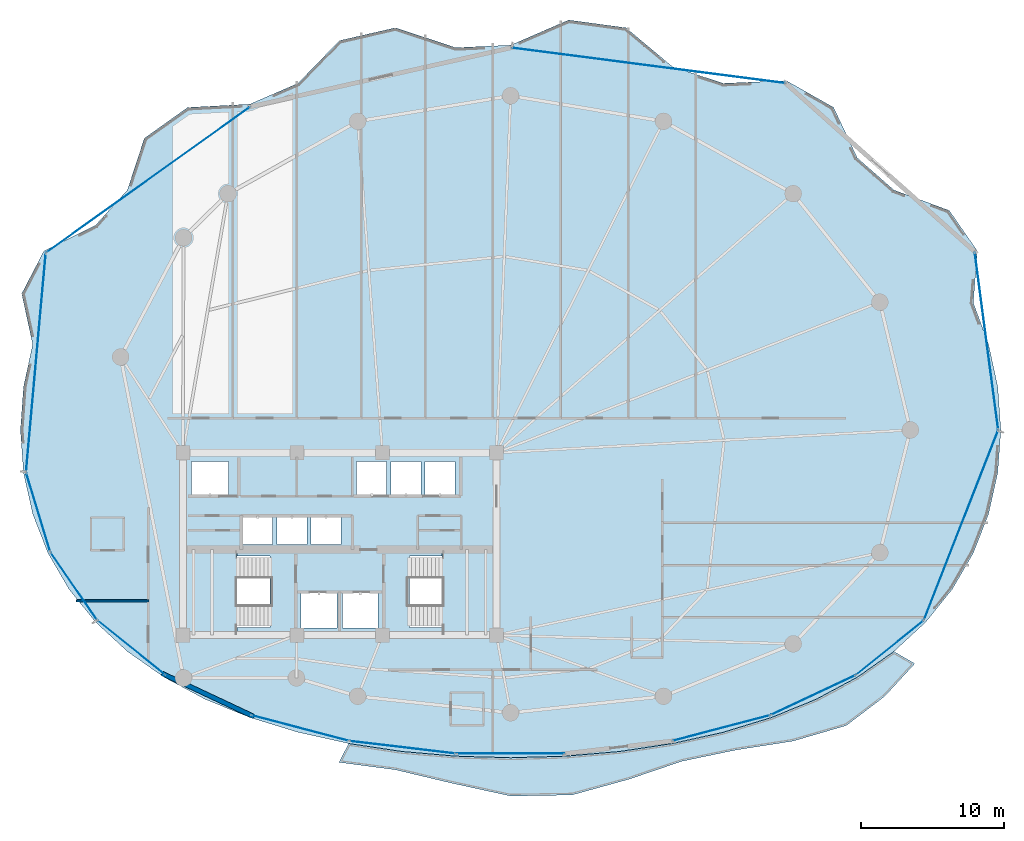
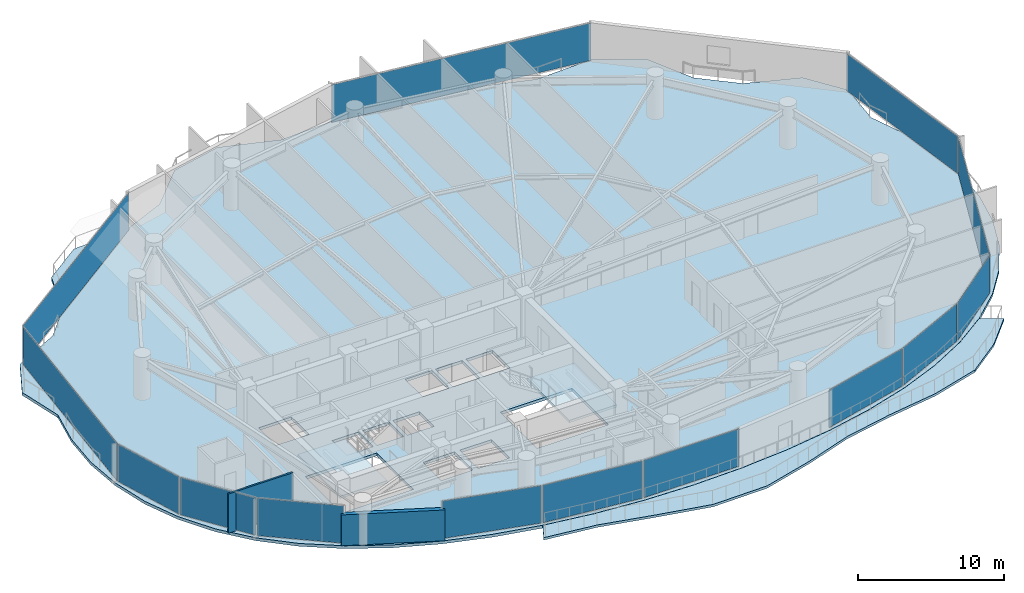
# One storey, part 25 of 33: 14 plates, 4 slabs, 2 walls, 16 elements without a shape of their own.
"""IFC4 building model written with IfcOpenShell, lengths in metres."""

from ifc_helpers import new_model, si_unit, direction, frame, frame_2d, origin, origin_2d, place, context, subcontext, project, spatial, polyline, rectangle, outline, extrude, material, layer, layer_set, type_object, element, aggregate, save


model = new_model("IFC4")

# Units and contexts
model_context = context("Model", 3, precision=1e-05, world=origin(), true_north=direction((0.0, 1.0)))
body_context = subcontext(model_context, "Body", "Model", "MODEL_VIEW")
ifc_project = project(units=[si_unit("LENGTHUNIT", "METRE"), si_unit("AREAUNIT", "SQUARE_METRE"), si_unit("VOLUMEUNIT", "CUBIC_METRE"), si_unit("PLANEANGLEUNIT", "RADIAN"), si_unit("MASSUNIT", "GRAM", prefix="KILO")], contexts=[model_context])

# Site, building, storey
site_placement = place(None, origin())
site = spatial("IfcSite", under=ifc_project, at=site_placement, CompositionType="ELEMENT")
building_placement = place(site_placement, origin())
building = spatial("IfcBuilding", under=site, at=building_placement, Name="Kazevale Care Tower and Concert Hall", CompositionType="ELEMENT")
storey_placement = place(building_placement, frame((0.0, 0.0, 178.199951171875)))
storey = spatial("IfcBuildingStorey", under=building, at=storey_placement, Name="L47", CompositionType="ELEMENT", Elevation=178.199951171875)

# Curtain wall, plate
ifc_material_1 = material(Name="Aluminium 6063-T6 and Low-E Glass", Category="aluminium")
ifc_layer_1 = layer(ifc_material_1, 0.179931640625)
ifc_layer_set_1 = layer_set([ifc_layer_1], Name="Aluminium 6063-T6 and Low-E Glass")
curtain_wall_type_1 = type_object("IfcCurtainWallType", Name="Convex Recessed Sunroom Curtain Wall CW-3", PredefinedType="NOTDEFINED", material=ifc_layer_set_1)
curtain_wall_1_placement = place(storey_placement, origin())
curtain_wall_1 = element("IfcCurtainWall", 1, at=curtain_wall_1_placement, inside=storey, type_object=curtain_wall_type_1, Name="cw:L47:f14", PredefinedType="NOTDEFINED")
ifc_material_2 = material(Name="Low-E Laminated Glass", Category="glass")
ifc_layer_2 = layer(ifc_material_2, 0.028076171875)
ifc_layer_set_2 = layer_set([ifc_layer_2], Name="Low-E Laminated Glass")
plate_type_1 = type_object("IfcPlateType", Name="CW-3 Low-E Glazing Panel 28mm", PredefinedType="CURTAIN_PANEL", material=ifc_layer_set_2)
plate_1_placement = place(storey_placement, frame((19.56103515625, 55.554931640625, 0.0751953125), z_axis=(0.0, 0.0, 1.0), x_axis=(0.813672201494, 0.58132396176, 0.0)))
plate_1 = element("IfcPlate", 2, at=plate_1_placement, type_object=plate_type_1, Name="CW-3 panel 1.1", PredefinedType="CURTAIN_PANEL", context=body_context, shape_type="SweptSolid", body=[
    extrude(rectangle(XDim=17.495849609375, YDim=0.028076171875, at=origin_2d()), origin(), (0.0, 0.0, 1.0), 3.1298828125),
])
aggregate(curtain_wall_1, [plate_1])

curtain_wall_2_placement = place(storey_placement, origin())
curtain_wall_2 = element("IfcCurtainWall", 3, at=curtain_wall_2_placement, inside=storey, type_object=curtain_wall_type_1, Name="cw:L47:f16", PredefinedType="NOTDEFINED")
plate_2_placement = place(storey_placement, frame((54.66845703125, 63.576416015625, 0.0751953125), z_axis=(0.0, 0.0, 1.0), x_axis=(0.99173542708, -0.128299815569, 0.0)))
plate_2 = element("IfcPlate", 4, at=plate_2_placement, type_object=plate_type_1, Name="CW-3 panel 1.1", PredefinedType="CURTAIN_PANEL", context=body_context, shape_type="SweptSolid", body=[
    extrude(rectangle(XDim=19.265380859375, YDim=0.028076171875, at=origin_2d()), origin(), (0.0, 0.0, 1.0), 3.1298828125),
])
aggregate(curtain_wall_2, [plate_2])

ifc_layer_3 = layer(ifc_material_1, 0.179931640625)
ifc_layer_set_3 = layer_set([ifc_layer_3], Name="Aluminium 6063-T6 and Low-E Glass")
curtain_wall_type_2 = type_object("IfcCurtainWallType", Name="Waist & Upper Residential Curtain Wall CW-4", PredefinedType="NOTDEFINED", material=ifc_layer_set_3)
curtain_wall_3_placement = place(storey_placement, origin())
curtain_wall_3 = element("IfcCurtainWall", 5, at=curtain_wall_3_placement, inside=storey, type_object=curtain_wall_type_2, Name="cw:L47:f01", PredefinedType="NOTDEFINED")
ifc_layer_4 = layer(ifc_material_2, 0.030029296875)
ifc_layer_set_4 = layer_set([ifc_layer_4], Name="Low-E Laminated Glass")
plate_type_2 = type_object("IfcPlateType", Name="CW-4 Low-E Glazing Panel 30mm", PredefinedType="CURTAIN_PANEL", material=ifc_layer_set_4)
plate_3_placement = place(storey_placement, frame((76.60791015625, 31.319091796875, 0.080078125), z_axis=(0.0, 0.0, 1.0), x_axis=(-0.36412075471, -0.931351746651, 0.0)))
plate_3 = element("IfcPlate", 6, at=plate_3_placement, type_object=plate_type_2, Name="CW-4 panel 1.1", PredefinedType="CURTAIN_PANEL", context=body_context, shape_type="SweptSolid", body=[
    extrude(rectangle(XDim=14.186767578125, YDim=0.030029296875, at=origin_2d()), origin(), (0.0, 0.0, 1.0), 3.1201171875),
])
aggregate(curtain_wall_3, [plate_3])

curtain_wall_4_placement = place(storey_placement, origin())
curtain_wall_4 = element("IfcCurtainWall", 7, at=curtain_wall_4_placement, inside=storey, type_object=curtain_wall_type_2, Name="cw:L47:f11", PredefinedType="NOTDEFINED")
plate_4_placement = place(storey_placement, frame((14.348388671875, 27.03955078125, 0.080078125), z_axis=(0.0, 0.0, 1.0), x_axis=(-0.567568708131, 0.823326035997, 0.0)))
plate_4 = element("IfcPlate", 8, at=plate_4_placement, type_object=plate_type_2, Name="CW-4 panel 1.1", PredefinedType="CURTAIN_PANEL", context=body_context, shape_type="SweptSolid", body=[
    extrude(rectangle(XDim=5.673583984375, YDim=0.030029296875, at=origin_2d()), origin(), (0.0, 0.0, 1.0), 3.1201171875),
])
aggregate(curtain_wall_4, [plate_4])

curtain_wall_5_placement = place(storey_placement, origin())
curtain_wall_5 = element("IfcCurtainWall", 9, at=curtain_wall_5_placement, inside=storey, type_object=curtain_wall_type_2, Name="cw:L47:f12", PredefinedType="NOTDEFINED")
plate_5_placement = place(storey_placement, frame((11.843994140625, 32.232421875, 0.080078125), z_axis=(0.0, 0.0, 1.0), x_axis=(-0.290977496961, 0.956729897234, 0.0)))
plate_5 = element("IfcPlate", 10, at=plate_5_placement, type_object=plate_type_2, Name="CW-4 panel 1.1", PredefinedType="CURTAIN_PANEL", context=body_context, shape_type="SweptSolid", body=[
    extrude(rectangle(XDim=5.675537109375, YDim=0.030029296875, at=origin_2d()), origin(), (0.0, 0.0, 1.0), 3.1201171875),
])
aggregate(curtain_wall_5, [plate_5])

curtain_wall_6_placement = place(storey_placement, origin())
curtain_wall_6 = element("IfcCurtainWall", 11, at=curtain_wall_6_placement, inside=storey, type_object=curtain_wall_type_2, Name="cw:L47:f13", PredefinedType="NOTDEFINED")
plate_6_placement = place(storey_placement, frame((11.6884765625, 42.72509765625, 0.080078125), z_axis=(0.0, 0.0, 1.0), x_axis=(0.089690298589, 0.995969703525, 0.0)))
plate_6 = element("IfcPlate", 12, at=plate_6_placement, type_object=plate_type_2, Name="CW-4 panel 1.1", PredefinedType="CURTAIN_PANEL", context=body_context, shape_type="SweptSolid", body=[
    extrude(rectangle(XDim=15.304443359375, YDim=0.030029296875, at=origin_2d()), origin(), (0.0, 0.0, 1.0), 3.1201171875),
])
aggregate(curtain_wall_6, [plate_6])

curtain_wall_7_placement = place(storey_placement, origin())
curtain_wall_7 = element("IfcCurtainWall", 13, at=curtain_wall_7_placement, inside=storey, type_object=curtain_wall_type_2, Name="cw:L47:f18", PredefinedType="NOTDEFINED")
plate_7_placement = place(storey_placement, frame((78.39306640625, 44.255615234375, 0.080078125), z_axis=(0.0, 0.0, 1.0), x_axis=(0.131063272711, -0.991374005382, 0.0)))
plate_7 = element("IfcPlate", 14, at=plate_7_placement, type_object=plate_type_2, Name="CW-4 panel 1.1", PredefinedType="CURTAIN_PANEL", context=body_context, shape_type="SweptSolid", body=[
    extrude(rectangle(XDim=12.4599609375, YDim=0.030029296875, at=origin_2d()), origin(), (0.0, 0.0, 1.0), 3.1201171875),
])
aggregate(curtain_wall_7, [plate_7])

ifc_layer_5 = layer(ifc_material_1, 0.179931640625)
ifc_layer_set_5 = layer_set([ifc_layer_5], Name="Aluminium 6063-T6 and Low-E Glass")
curtain_wall_type_3 = type_object("IfcCurtainWallType", Name="Sheltered Concave Balcony Curtain Wall CW-5", PredefinedType="NOTDEFINED", material=ifc_layer_set_5)
curtain_wall_8_placement = place(storey_placement, origin())
curtain_wall_8 = element("IfcCurtainWall", 15, at=curtain_wall_8_placement, inside=storey, type_object=curtain_wall_type_3, Name="cw:L47:f02", PredefinedType="NOTDEFINED")
ifc_layer_6 = layer(ifc_material_2, 0.02587890625)
ifc_layer_set_6 = layer_set([ifc_layer_6], Name="Low-E Laminated Glass")
plate_type_3 = type_object("IfcPlateType", Name="CW-5 Low-E Glazing Panel 26mm", PredefinedType="CURTAIN_PANEL", material=ifc_layer_set_6)
plate_8_placement = place(storey_placement, frame((71.613037109375, 22.720458984375, 0.0751953125), z_axis=(0.0, 0.0, 1.0), x_axis=(-0.779095419531, -0.626905357502, 0.0)))
plate_8 = element("IfcPlate", 16, at=plate_8_placement, type_object=plate_type_3, Name="CW-5 panel 1.1", PredefinedType="CURTAIN_PANEL", context=body_context, shape_type="SweptSolid", body=[
    extrude(rectangle(XDim=5.96728515625, YDim=0.02587890625, at=origin_2d()), origin(), (0.0, 0.0, 1.0), 3.1298828125),
])
aggregate(curtain_wall_8, [plate_8])

curtain_wall_9_placement = place(storey_placement, origin())
curtain_wall_9 = element("IfcCurtainWall", 17, at=curtain_wall_9_placement, inside=storey, type_object=curtain_wall_type_3, Name="cw:L47:f03", PredefinedType="NOTDEFINED")
plate_9_placement = place(storey_placement, frame((66.235595703125, 19.39697265625, 0.0751953125), z_axis=(0.0, 0.0, 1.0), x_axis=(-0.905188294205, -0.425010766963, 0.0)))
plate_9 = element("IfcPlate", 18, at=plate_9_placement, type_object=plate_type_3, Name="CW-5 panel 1.1", PredefinedType="CURTAIN_PANEL", context=body_context, shape_type="SweptSolid", body=[
    extrude(rectangle(XDim=6.46630859375, YDim=0.02587890625, at=origin_2d()), origin(), (0.0, 0.0, 1.0), 3.1298828125),
])
aggregate(curtain_wall_9, [plate_9])

curtain_wall_10_placement = place(storey_placement, origin())
curtain_wall_10 = element("IfcCurtainWall", 19, at=curtain_wall_10_placement, inside=storey, type_object=curtain_wall_type_3, Name="cw:L47:f04", PredefinedType="NOTDEFINED")
plate_10_placement = place(storey_placement, frame((59.784912109375, 17.08251953125, 0.0751953125), z_axis=(0.0, 0.0, 1.0), x_axis=(-0.967141564797, -0.254238458229, 0.0)))
plate_10 = element("IfcPlate", 20, at=plate_10_placement, type_object=plate_type_3, Name="CW-5 panel 1.1", PredefinedType="CURTAIN_PANEL", context=body_context, shape_type="SweptSolid", body=[
    extrude(rectangle(XDim=6.996826171875, YDim=0.02587890625, at=origin_2d()), origin(), (0.0, 0.0, 1.0), 3.1298828125),
])
aggregate(curtain_wall_10, [plate_10])

curtain_wall_11_placement = place(storey_placement, origin())
curtain_wall_11 = element("IfcCurtainWall", 21, at=curtain_wall_11_placement, inside=storey, type_object=curtain_wall_type_3, Name="cw:L47:f06", PredefinedType="NOTDEFINED")
plate_11_placement = place(storey_placement, frame((45.0, 15.2890625, 0.0751953125), z_axis=(0.0, 0.0, 1.0), x_axis=(-1.0, 0.0, 0.0)))
plate_11 = element("IfcPlate", 22, at=plate_11_placement, type_object=plate_type_3, Name="CW-5 panel 1.1", PredefinedType="CURTAIN_PANEL", context=body_context, shape_type="SweptSolid", body=[
    extrude(rectangle(XDim=7.531982421875, YDim=0.02587890625, at=origin_2d()), origin(), (0.0, 0.0, 1.0), 3.1298828125),
])
aggregate(curtain_wall_11, [plate_11])

curtain_wall_12_placement = place(storey_placement, origin())
curtain_wall_12 = element("IfcCurtainWall", 23, at=curtain_wall_12_placement, inside=storey, type_object=curtain_wall_type_3, Name="cw:L47:f07", PredefinedType="NOTDEFINED")
plate_12_placement = place(storey_placement, frame((37.4150390625, 15.7314453125, 0.0751953125), z_axis=(0.0, 0.0, 1.0), x_axis=(-0.993087997884, 0.117372179238, 0.0)))
plate_12 = element("IfcPlate", 24, at=plate_12_placement, type_object=plate_type_3, Name="CW-5 panel 1.1", PredefinedType="CURTAIN_PANEL", context=body_context, shape_type="SweptSolid", body=[
    extrude(rectangle(XDim=7.39013671875, YDim=0.02587890625, at=origin_2d()), origin(), (0.0, 0.0, 1.0), 3.1298828125),
])
aggregate(curtain_wall_12, [plate_12])

curtain_wall_13_placement = place(storey_placement, origin())
curtain_wall_13 = element("IfcCurtainWall", 25, at=curtain_wall_13_placement, inside=storey, type_object=curtain_wall_type_3, Name="cw:L47:f08", PredefinedType="NOTDEFINED")
plate_13_placement = place(storey_placement, frame((30.215087890625, 17.08251953125, 0.0751953125), z_axis=(0.0, 0.0, 1.0), x_axis=(-0.967141564797, 0.254238458229, 0.0)))
plate_13 = element("IfcPlate", 26, at=plate_13_placement, type_object=plate_type_3, Name="CW-5 panel 1.1", PredefinedType="CURTAIN_PANEL", context=body_context, shape_type="SweptSolid", body=[
    extrude(rectangle(XDim=6.996826171875, YDim=0.02587890625, at=origin_2d()), origin(), (0.0, 0.0, 1.0), 3.1298828125),
])
aggregate(curtain_wall_13, [plate_13])

curtain_wall_14_placement = place(storey_placement, origin())
curtain_wall_14 = element("IfcCurtainWall", 27, at=curtain_wall_14_placement, inside=storey, type_object=curtain_wall_type_3, Name="cw:L47:f10", PredefinedType="NOTDEFINED")
plate_14_placement = place(storey_placement, frame((18.386962890625, 22.720458984375, 0.0751953125), z_axis=(0.0, 0.0, 1.0), x_axis=(-0.779095419531, 0.626905357502, 0.0)))
plate_14 = element("IfcPlate", 28, at=plate_14_placement, type_object=plate_type_3, Name="CW-5 panel 1.1", PredefinedType="CURTAIN_PANEL", context=body_context, shape_type="SweptSolid", body=[
    extrude(rectangle(XDim=5.96728515625, YDim=0.02587890625, at=origin_2d()), origin(), (0.0, 0.0, 1.0), 3.1298828125),
])
aggregate(curtain_wall_14, [plate_14])

# Slab
ifc_material_3 = material(Name="Concrete C40", Category="concrete")
ifc_layer_7 = layer(ifc_material_3, 0.199951171875)
ifc_layer_set_7 = layer_set([ifc_layer_7], Name="Concrete C40")
slab_type_1 = type_object("IfcSlabType", Name="Sinusoidal Concave Balcony Slab 200", PredefinedType="USERDEFINED", material=ifc_layer_set_7)
slab_1_placement = place(storey_placement, frame((0.0, 0.0, -0.199951171875)))
element("IfcSlab", 29, at=slab_1_placement, inside=storey, type_object=slab_type_1, Name="slab:L47:bal", ObjectType="BALCONY", PredefinedType="USERDEFINED", context=body_context, shape_type="SweptSolid", body=[
    extrude(outline(polyline([(73.36279296875, 21.6044921875), (71.2294921875, 19.290283203125), (68.548828125, 17.255859375), (64.8056640625, 16.163818359375), (60.803955078125, 15.5400390625), (57.007080078125, 14.747314453125), (53.31591796875, 13.4921875), (49.31005859375, 12.384521484375), (45.0, 12.31103515625), (40.830810546875, 13.221435546875), (36.90869140625, 14.15380859375), (32.955078125, 14.67431640625), (33.635986328125, 15.992919921875), (33.637451171875, 15.992431640625), (37.3447265625, 15.435546875), (41.148193359375, 15.104736328125), (45.0, 14.9951171875), (48.851806640625, 15.104736328125), (52.6552734375, 15.435546875), (56.362548828125, 15.992431640625), (59.927001953125, 16.783447265625), (63.3037109375, 17.81689453125), (66.4501953125, 19.101806640625), (69.3271484375, 20.64501953125), (71.898193359375, 22.44921875), (71.899658203125, 22.450439453125), (73.36279296875, 21.6044921875)])), origin(), (0.0, 0.0, 1.0), 0.199951171875),
])

# Stair, slab
stair_type = type_object("IfcStairType", Name="Exit Stair Assembly ST1-Z2", PredefinedType="HALF_TURN_STAIR", material=ifc_material_3)
stair_1_placement = place(storey_placement, origin())
stair_1 = element("IfcStair", 30, at=stair_1_placement, inside=storey, type_object=stair_type, Name="stair:L47:ST1", PredefinedType="HALF_TURN_STAIR")
ifc_layer_8 = layer(ifc_material_3, 0.199951171875)
ifc_layer_set_8 = layer_set([ifc_layer_8], Name="Concrete C40")
slab_type_2 = type_object("IfcSlabType", Name="Stair Half-Landing Slab ST1-Z2", PredefinedType="LANDING", material=ifc_layer_set_8)
slab_2_placement = place(storey_placement, frame((0.0, 0.0, 1.60009765625)))
slab_2 = element("IfcSlab", 31, at=slab_2_placement, type_object=slab_type_2, Name="ST1-Z2 landing 1", PredefinedType="LANDING", context=body_context, shape_type="SweptSolid", body=[
    extrude(outline(polyline([(22.050048828125, 23.699951171875), (25.81005859375, 23.699951171875), (25.81005859375, 29.5), (22.050048828125, 29.5), (22.050048828125, 23.699951171875)])), origin(), (0.0, 0.0, 1.0), 0.199951171875),
])
aggregate(stair_1, [slab_2])

stair_2_placement = place(storey_placement, origin())
stair_2 = element("IfcStair", 32, at=stair_2_placement, inside=storey, type_object=stair_type, Name="stair:L47:ST2", PredefinedType="HALF_TURN_STAIR")
slab_3_placement = place(storey_placement, frame((0.0, 0.0, 1.60009765625)))
slab_3 = element("IfcSlab", 33, at=slab_3_placement, type_object=slab_type_2, Name="ST1-Z2 landing 1", PredefinedType="LANDING", context=body_context, shape_type="SweptSolid", body=[
    extrude(outline(polyline([(40.18994140625, 23.699951171875), (43.949951171875, 23.699951171875), (43.949951171875, 29.5), (40.18994140625, 29.5), (40.18994140625, 23.699951171875)])), origin(), (0.0, 0.0, 1.0), 0.199951171875),
])
aggregate(stair_2, [slab_3])

# Slab
ifc_layer_9 = layer(ifc_material_3, 0.239990234375)
ifc_layer_set_9 = layer_set([ifc_layer_9], Name="Concrete C40")
slab_type_3 = type_object("IfcSlabType", Name="Tower Typical Floor Slab 240", PredefinedType="FLOOR", material=ifc_layer_set_9)
slab_4_placement = place(storey_placement, frame((0.0, 0.0, -0.239990234375)))
element("IfcSlab", 34, at=slab_4_placement, inside=storey, type_object=slab_type_3, Name="slab:L47:tw:1", PredefinedType="FLOOR", context=body_context, shape_type="SweptSolid", body=[
    extrude(outline(polyline([(79.39990234375, 38.0), (79.18359375, 41.02294921875), (78.53759765625, 44.008056640625), (77.469482421875, 46.91748046875), (77.750244140625, 50.560791015625), (75.7783203125, 53.40234375), (71.89501953125, 54.834228515625), (69.324462890625, 57.091796875), (67.663818359375, 60.634033203125), (64.33935546875, 62.5126953125), (59.925537109375, 62.326171875), (56.361572265625, 63.48486328125), (53.088623046875, 66.22412109375), (49.06982421875, 66.76806640625), (45.0, 65.0), (41.1484375, 64.830078125), (36.911376953125, 66.22412109375), (32.994384765625, 65.325439453125), (30.074462890625, 62.326171875), (26.697998046875, 60.861572265625), (22.336181640625, 60.634033203125), (19.296630859375, 58.470703125), (18.10498046875, 54.834228515625), (15.872802734375, 52.364990234375), (12.249755859375, 50.560791015625), (10.689697265625, 47.5615234375), (11.46240234375, 44.008056640625), (10.81640625, 41.02294921875), (10.60009765625, 38.0), (10.81640625, 34.997802734375), (11.46240234375, 32.1005859375), (12.530517578125, 29.362548828125), (14.006591796875, 26.82421875), (15.872802734375, 24.514892578125), (18.10498046875, 22.452880859375), (20.675537109375, 20.649169921875), (23.552001953125, 19.1064453125), (26.697998046875, 17.821533203125), (30.074462890625, 16.7880859375), (33.638427734375, 15.997314453125), (37.34521484375, 15.4404296875), (41.1484375, 15.109619140625), (45.0, 15.0), (48.8515625, 15.109619140625), (52.65478515625, 15.4404296875), (56.361572265625, 15.997314453125), (59.925537109375, 16.7880859375), (63.302001953125, 17.821533203125), (66.447998046875, 19.1064453125), (69.324462890625, 20.649169921875), (71.89501953125, 22.452880859375), (74.127197265625, 24.514892578125), (75.993408203125, 26.82421875), (77.469482421875, 29.362548828125), (78.53759765625, 32.1005859375), (79.18359375, 34.997802734375), (79.39990234375, 38.0)]), holes=[polyline([(22.449951171875, 24.14990234375), (28.110107421875, 24.14990234375), (28.110107421875, 29.14990234375), (22.449951171875, 29.14990234375), (22.449951171875, 24.14990234375)]), polyline([(37.889892578125, 24.14990234375), (43.550048828125, 24.14990234375), (43.550048828125, 29.14990234375), (37.889892578125, 29.14990234375), (37.889892578125, 24.14990234375)]), polyline([(30.300048828125, 24.10009765625), (32.800048828125, 24.10009765625), (32.800048828125, 26.60009765625), (30.300048828125, 26.60009765625), (30.300048828125, 24.10009765625)]), polyline([(33.199951171875, 24.10009765625), (35.699951171875, 24.10009765625), (35.699951171875, 26.60009765625), (33.199951171875, 26.60009765625), (33.199951171875, 24.10009765625)]), polyline([(22.60009765625, 33.39990234375), (25.199951171875, 33.39990234375), (25.199951171875, 35.800048828125), (22.60009765625, 35.800048828125), (22.60009765625, 33.39990234375)]), polyline([(34.199951171875, 33.39990234375), (36.300048828125, 33.39990234375), (36.300048828125, 35.800048828125), (34.199951171875, 35.800048828125), (34.199951171875, 33.39990234375)]), polyline([(36.60009765625, 33.39990234375), (38.699951171875, 33.39990234375), (38.699951171875, 35.800048828125), (36.60009765625, 35.800048828125), (36.60009765625, 33.39990234375)]), polyline([(39.0, 33.39990234375), (41.10009765625, 33.39990234375), (41.10009765625, 35.800048828125), (39.0, 35.800048828125), (39.0, 33.39990234375)]), polyline([(26.199951171875, 29.949951171875), (28.300048828125, 29.949951171875), (28.300048828125, 31.949951171875), (26.199951171875, 31.949951171875), (26.199951171875, 29.949951171875)]), polyline([(28.60009765625, 29.949951171875), (30.699951171875, 29.949951171875), (30.699951171875, 31.949951171875), (28.60009765625, 31.949951171875), (28.60009765625, 29.949951171875)]), polyline([(31.0, 29.949951171875), (33.10009765625, 29.949951171875), (33.10009765625, 31.949951171875), (31.0, 31.949951171875), (31.0, 29.949951171875)])]), origin(), (0.0, 0.0, 1.0), 0.239990234375),
])

# Walls
ifc_material_4 = material(Name="Acoustic Gypsum on Steel Stud", Category="steel")
ifc_layer_10 = layer(ifc_material_4, 0.139892578125)
ifc_layer_set_10 = layer_set([ifc_layer_10], Name="Acoustic Gypsum on Steel Stud")
wall_type_1 = type_object("IfcWallType", Name="Acoustic Care & Suite Partition 140", PredefinedType="PARTITIONING", material=ifc_layer_set_10)
wall_1_placement = place(storey_placement, frame((14.52392578125, 26.0, 0.0), z_axis=(0.0, 0.0, 1.0), x_axis=(1.0, 0.0, 0.0)))
element("IfcWall", 35, at=wall_1_placement, inside=storey, type_object=wall_type_1, Name="wall:L47:auto_034", PredefinedType="PARTITIONING", context=body_context, shape_type="SweptSolid", body=[
    extrude(rectangle(XDim=5.0810546875, YDim=0.139892578125, at=frame_2d((2.54052734375, 0.0))), origin(), (0.0, 0.0, 1.0), 3.280029296875),
])
ifc_material_5 = material(Name="Concrete C40 with Honed Limestone Cladding", Category="masonry")
ifc_layer_11 = layer(ifc_material_5, 0.320068359375)
ifc_layer_set_11 = layer_set([ifc_layer_11], Name="Concrete C40 with Honed Limestone Cladding")
wall_type_2 = type_object("IfcWallType", Name="Tower Honed Limestone Spandrel Wall 320", PredefinedType="STANDARD", material=ifc_layer_set_11)
wall_2_placement = place(storey_placement, frame((26.993896484375, 17.8798828125, 0.0), z_axis=(0.0, 0.0, 1.0), x_axis=(-0.905106920297, 0.425184034073, 0.0)))
element("IfcWall", 36, at=wall_2_placement, inside=storey, type_object=wall_type_2, Name="wall:cw:L47:f09", PredefinedType="STANDARD", context=body_context, shape_type="SweptSolid", body=[
    extrude(rectangle(XDim=7.13623046875, YDim=0.320068359375, at=frame_2d((3.568115234375, 0.0))), origin(), (0.0, 0.0, 1.0), 2.5771484375),
])

save(model, "model.ifc")
